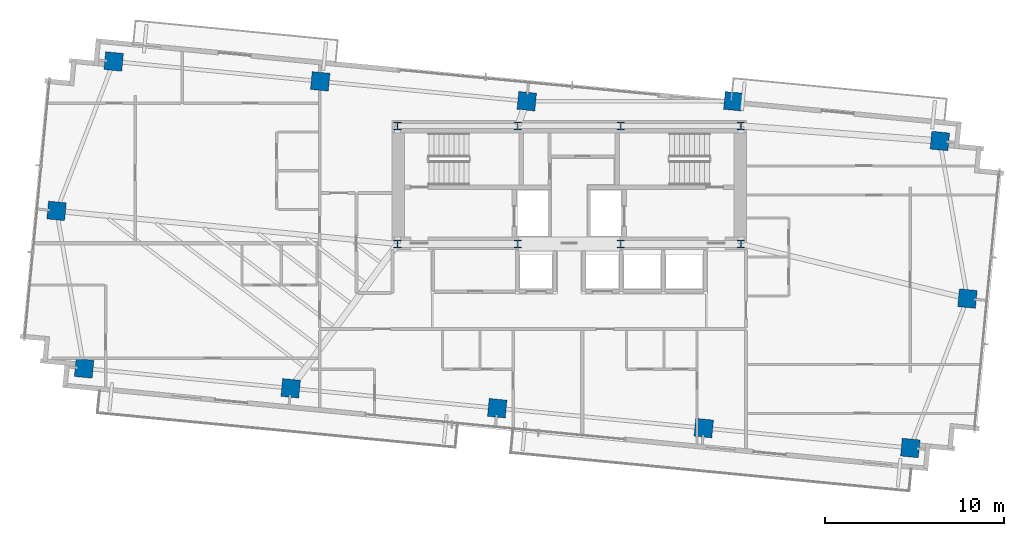
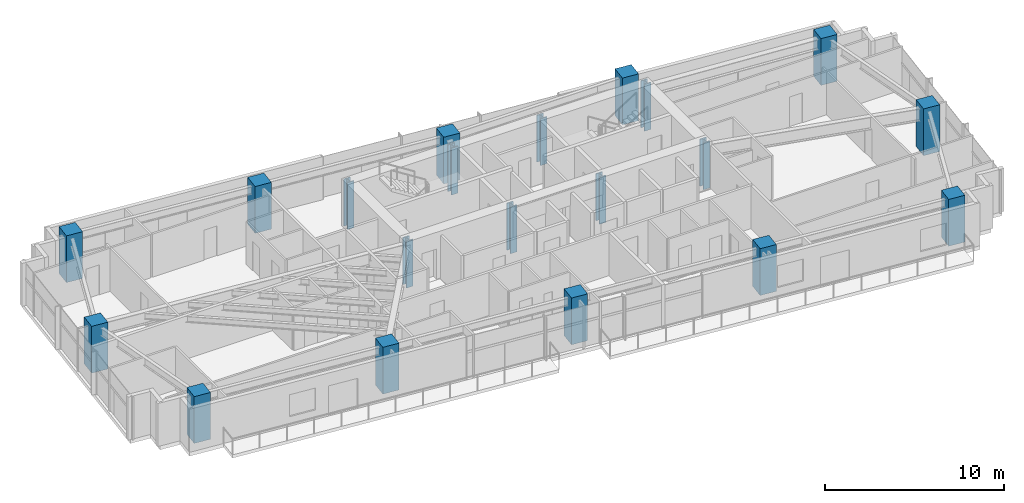
# One storey, part 1 of 20: 20 columns.
"""IFC4 building model written with IfcOpenShell, lengths in metres."""

from ifc_helpers import new_model, si_unit, direction, frame, origin, origin_2d, place, context, subcontext, project, spatial, rectangle, i_section, extrude, source, transform, mapped, material, material_profile, profile_set, type_object, type_shapes, element, save


model = new_model("IFC4")

# Units and contexts
model_context = context("Model", 3, precision=1e-05, world=origin(), true_north=direction((0.0, 1.0)))
body_context = subcontext(model_context, "Body", "Model", "MODEL_VIEW")
ifc_project = project(units=[si_unit("LENGTHUNIT", "METRE"), si_unit("AREAUNIT", "SQUARE_METRE"), si_unit("VOLUMEUNIT", "CUBIC_METRE"), si_unit("PLANEANGLEUNIT", "RADIAN"), si_unit("MASSUNIT", "GRAM", prefix="KILO")], contexts=[model_context])

# Site, building, storey
site_placement = place(None, origin())
site = spatial("IfcSite", under=ifc_project, at=site_placement, CompositionType="ELEMENT")
building_placement = place(site_placement, origin())
building = spatial("IfcBuilding", under=site, at=building_placement, Name="Astriad Promenade Condominiums", CompositionType="ELEMENT")
storey_placement = place(building_placement, frame((0.0, 0.0, 131.0)))
storey = spatial("IfcBuildingStorey", under=building, at=storey_placement, Name="L37", CompositionType="ELEMENT", Elevation=131.0)

# Columns
ifc_material_1 = material(Name="Steel ASTM A992 Grade 50", Category="steel")
ifc_material_profile_1 = material_profile(ifc_material_1, i_section(OverallWidth=0.42138671875, OverallDepth=0.464599609375, WebThickness=0.044921875, FlangeThickness=0.072509765625, FilletRadius=0.017822265625, at=origin_2d()), Name="W14X398")
ifc_profile_set_1 = profile_set([ifc_material_profile_1], Name="Steel ASTM A992 Grade 50")
column_type_1 = type_object("IfcColumnType", Name="STEEL CORE PILASTER W14X398", PredefinedType="PILASTER", material=ifc_profile_set_1)
shared_shape_1 = source(origin(), body_context, "Body", "SweptSolid", [
    extrude(i_section(OverallWidth=0.42138671875, OverallDepth=0.464599609375, WebThickness=0.044921875, FlangeThickness=0.072509765625, FilletRadius=0.017822265625, at=origin_2d()), origin(), (0.0, 0.0, 1.0), 3.196044921875),
])
type_shapes(column_type_1, [shared_shape_1])
for number, where, z_axis, x_axis, name in (
    (1, (26.39990234375, 17.39990234375, 0.001953125), (0.0, 0.0, 1.0), (1.0, 0.0, 0.0), "Core Pilaster Column CP1 (L37)"),
    (2, (33.1201171875, 17.39990234375, 0.001953125), (0.0, 0.0, 1.0), (1.0, 0.0, 0.0), "Core Pilaster Column CP2 (L37)"),
    (3, (38.8798828125, 17.39990234375, 0.001953125), (0.0, 0.0, 1.0), (1.0, 0.0, 0.0), "Core Pilaster Column CP3 (L37)"),
    (4, (45.60009765625, 17.39990234375, 0.001953125), (0.0, 0.0, 1.0), (1.0, 0.0, 0.0), "Core Pilaster Column CP4 (L37)"),
    (5, (26.39990234375, 24.0, 0.001953125), (0.0, 0.0, 1.0), (1.0, 0.0, 0.0), "Core Pilaster Column CP5 (L37)"),
    (6, (33.1201171875, 24.0, 0.001953125), (0.0, 0.0, 1.0), (1.0, 0.0, 0.0), "Core Pilaster Column CP6 (L37)"),
    (7, (38.8798828125, 24.0, 0.001953125), (0.0, 0.0, 1.0), (1.0, 0.0, 0.0), "Core Pilaster Column CP7 (L37)"),
    (8, (45.60009765625, 24.0, 0.001953125), (0.0, 0.0, 1.0), (1.0, 0.0, 0.0), "Core Pilaster Column CP8 (L37)"),
):
    element("IfcColumn", number, at=place(storey_placement, frame(where, z_axis=z_axis, x_axis=x_axis)), inside=storey, type_object=column_type_1, Name=name, PredefinedType="PILASTER", context=body_context, shape_type="MappedRepresentation", body=[
        mapped(shared_shape_1, transform((0.0, 0.0, 0.0), scale=1.0)),
    ])
ifc_material_2 = material(Name="Concrete C60/75", Category="concrete")
ifc_material_profile_2 = material_profile(ifc_material_2, rectangle(XDim=1.0, YDim=1.0, at=origin_2d()), Name="RC-COL-1000X1000")
ifc_profile_set_2 = profile_set([ifc_material_profile_2], Name="Concrete C60/75")
column_type_2 = type_object("IfcColumnType", Name="CONCRETE TOWER COLUMN 1000X1000", PredefinedType="COLUMN", material=ifc_profile_set_2)
shared_shape_2 = source(origin(), body_context, "Body", "SweptSolid", [
    extrude(rectangle(XDim=1.0, YDim=1.0, at=origin_2d()), origin(), (0.0, 0.0, 1.0), 3.196044921875),
])
type_shapes(column_type_2, [shared_shape_2])
for number, where, z_axis, x_axis, name in (
    (9, (8.880615234375, 10.443359375, 0.001953125), (0.0, 0.0, 1.0), (0.995396198367, -0.09584575252, 0.0), "Perimeter Column PC01 (L37)"),
    (10, (20.42724609375, 9.33154296875, 0.001953125), (0.0, 0.0, 1.0), (0.995396198367, -0.09584575252, 0.0), "Perimeter Column PC02 (L37)"),
    (11, (31.973876953125, 8.2197265625, 0.001953125), (0.0, 0.0, 1.0), (0.995396198367, -0.09584575252, 0.0), "Perimeter Column PC03 (L37)"),
    (12, (43.5205078125, 7.10791015625, 0.001953125), (0.0, 0.0, 1.0), (0.995396198367, -0.09584575252, 0.0), "Perimeter Column PC04 (L37)"),
    (13, (55.06689453125, 5.99609375, 0.001953125), (0.0, 0.0, 1.0), (0.995396198367, -0.09584575252, 0.0), "Perimeter Column PC05 (L37)"),
    (14, (10.532958984375, 27.60400390625, 0.001953125), (0.0, 0.0, 1.0), (0.995396198367, -0.09584575252, 0.0), "Perimeter Column PC06 (L37)"),
    (15, (22.07958984375, 26.4921875, 0.001953125), (0.0, 0.0, 1.0), (0.995396198367, -0.09584575252, 0.0), "Perimeter Column PC07 (L37)"),
    (16, (33.626220703125, 25.38037109375, 0.001953125), (0.0, 0.0, 1.0), (0.995396198367, -0.09584575252, 0.0), "Perimeter Column PC08 (L37)"),
    (17, (45.1728515625, 25.3798828125, 0.001953125), (0.0, 0.0, 1.0), (0.995396198367, -0.09584575252, 0.0), "Perimeter Column PC09 (L37)"),
    (18, (56.719482421875, 23.15673828125, 0.001953125), (0.0, 0.0, 1.0), (0.995396198367, -0.09584575252, 0.0), "Perimeter Column PC10 (L37)"),
    (19, (7.337890625, 19.251708984375, 0.001953125), (0.0, 0.0, 1.0), (0.995396198367, -0.09584575252, 0.0), "Perimeter Column PC11 (L37)"),
    (20, (58.26220703125, 14.348388671875, 0.001953125), (0.0, 0.0, 1.0), (0.995396198367, -0.09584575252, 0.0), "Perimeter Column PC12 (L37)"),
):
    element("IfcColumn", number, at=place(storey_placement, frame(where, z_axis=z_axis, x_axis=x_axis)), inside=storey, type_object=column_type_2, Name=name, PredefinedType="COLUMN", context=body_context, shape_type="MappedRepresentation", body=[
        mapped(shared_shape_2, transform((0.0, 0.0, 0.0), scale=1.0)),
    ])

save(model, "model.ifc")
